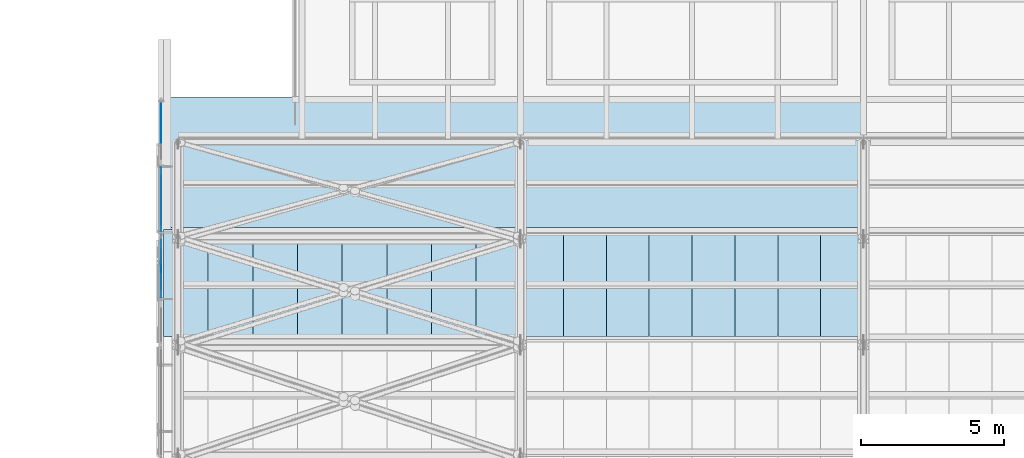
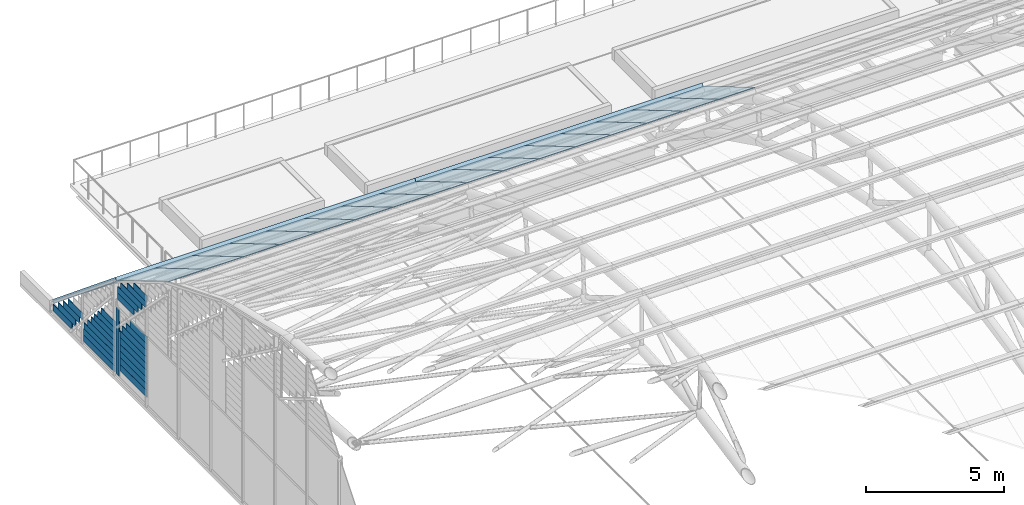
# One storey, part 56 of 110: 43 plates, 2 slabs, 1 element without a shape of its own.
"""IFC4 building model written with IfcOpenShell, lengths in metres."""

from ifc_helpers import new_model, si_unit, direction, frame, origin, place, context, subcontext, project, spatial, polyline, outline, extrude, material, layer, layer_set, type_object, element, aggregate, save


model = new_model("IFC4")

# Units and contexts
model_context = context("Model", 3, precision=1e-05, world=origin(), true_north=direction((0.0, 1.0)))
body_context = subcontext(model_context, "Body", "Model", "MODEL_VIEW")
ifc_project = project(units=[si_unit("LENGTHUNIT", "METRE"), si_unit("AREAUNIT", "SQUARE_METRE"), si_unit("VOLUMEUNIT", "CUBIC_METRE"), si_unit("PLANEANGLEUNIT", "RADIAN"), si_unit("MASSUNIT", "GRAM", prefix="KILO")], contexts=[model_context])

# Site, building, storey
site_placement = place(None, origin())
site = spatial("IfcSite", under=ifc_project, at=site_placement, CompositionType="ELEMENT")
building_placement = place(site_placement, origin())
building = spatial("IfcBuilding", under=site, at=building_placement, Name="Windward Yard Aquatics Centre", CompositionType="ELEMENT")
storey_placement = place(building_placement, frame((0.0, 0.0, 22.60009765625)))
storey = spatial("IfcBuildingStorey", under=building, at=storey_placement, Name="L05", CompositionType="ELEMENT", Elevation=22.60009765625)

# Curtain wall, plates
ifc_material_1 = material(Name="Glass and aluminium curtain wall", Category="aluminium")
ifc_layer_1 = layer(ifc_material_1, 0.179931640625)
ifc_layer_set_1 = layer_set([ifc_layer_1], Name="H gable glazing system double glazed 8+16+8")
curtain_wall_type = type_object("IfcCurtainWallType", Name="H gable glazing system double glazed 8+16+8", PredefinedType="NOTDEFINED", material=ifc_layer_set_1)
curtain_wall_placement = place(storey_placement, origin())
curtain_wall = element("IfcCurtainWall", 1, at=curtain_wall_placement, inside=storey, type_object=curtain_wall_type, Name="Gable glazing W", PredefinedType="NOTDEFINED")
ifc_material_2 = material(Name="Low-iron glass", Category="glass")
ifc_layer_2 = layer(ifc_material_2, 0.008, Name="Outer pane")
ifc_material_3 = material(Name="Argon-filled cavity")
ifc_layer_3 = layer(ifc_material_3, 0.016, Name="Cavity")
ifc_layer_4 = layer(ifc_material_2, 0.008, Name="Inner pane")
ifc_layer_set_2 = layer_set([ifc_layer_2, ifc_layer_3, ifc_layer_4], Name="H gable glass low-e double glazed unit 32")
plate_type_1 = type_object("IfcPlateType", Name="H gable glass low-e double glazed unit 32", PredefinedType="CURTAIN_PANEL", material=ifc_layer_set_2)
plate_1_placement = place(storey_placement, frame((59.39404296875, 76.9638671875, 0.099853515625), z_axis=(-1.0, 0.0, 0.0), x_axis=(0.0, 0.0, 1.0)))
plate_1 = element("IfcPlate", 2, at=plate_1_placement, type_object=plate_type_1, Name="Gable panel 16.1a", PredefinedType="CURTAIN_PANEL", context=body_context, shape_type="SweptSolid", body=[
    extrude(outline(polyline([(0.0, 0.0), (2.949951, 0.0), (2.949951, 0.238281), (0.0, 0.238281), (0.0, 0.0)])), origin(), (0.0, 0.0, -1.0), 0.031982421875),
])
plate_2_placement = place(storey_placement, frame((59.426025390625, 74.947998046875, 0.39501953125), z_axis=(1.0, 0.0, 0.0), x_axis=(0.0, 1.0, 0.0)))
plate_2 = element("IfcPlate", 3, at=plate_2_placement, type_object=plate_type_1, Name="Gable panel 16.1l", PredefinedType="CURTAIN_PANEL", context=body_context, shape_type="SweptSolid", body=[
    extrude(outline(polyline([(0.0, 0.0), (1.958984, 0.0), (1.958984, 0.294678), (0.0, 0.294678), (0.0, 0.0)])), origin(), (0.0, 0.0, -1.0), 0.031982421875),
])
plate_3_placement = place(storey_placement, frame((59.426025390625, 74.947998046875, 0.690185546875), z_axis=(1.0, 0.0, 0.0), x_axis=(0.0, 1.0, 0.0)))
plate_3 = element("IfcPlate", 4, at=plate_3_placement, type_object=plate_type_1, Name="Gable panel 16.1m", PredefinedType="CURTAIN_PANEL", context=body_context, shape_type="SweptSolid", body=[
    extrude(outline(polyline([(0.0, 0.0), (1.958984, 0.0), (1.958984, 0.294434), (0.0, 0.294434), (0.0, 0.0)])), origin(), (0.0, 0.0, -1.0), 0.031982421875),
])
plate_4_placement = place(storey_placement, frame((59.426025390625, 74.947998046875, 0.985107421875), z_axis=(1.0, 0.0, 0.0), x_axis=(0.0, 1.0, 0.0)))
plate_4 = element("IfcPlate", 5, at=plate_4_placement, type_object=plate_type_1, Name="Gable panel 16.1n", PredefinedType="CURTAIN_PANEL", context=body_context, shape_type="SweptSolid", body=[
    extrude(outline(polyline([(0.0, 0.0), (1.958984, 0.0), (1.958984, 0.294678), (0.0, 0.294678), (0.0, 0.0)])), origin(), (0.0, 0.0, -1.0), 0.031982421875),
])
plate_5_placement = place(storey_placement, frame((59.426025390625, 74.947998046875, 1.280029296875), z_axis=(1.0, 0.0, 0.0), x_axis=(0.0, 1.0, 0.0)))
plate_5 = element("IfcPlate", 6, at=plate_5_placement, type_object=plate_type_1, Name="Gable panel 16.1o", PredefinedType="CURTAIN_PANEL", context=body_context, shape_type="SweptSolid", body=[
    extrude(outline(polyline([(0.0, 0.0), (1.958984, 0.0), (1.958984, 0.294678), (0.0, 0.294678), (0.0, 0.0)])), origin(), (0.0, 0.0, -1.0), 0.031982421875),
])
plate_6_placement = place(storey_placement, frame((59.426025390625, 74.947998046875, 1.5751953125), z_axis=(1.0, 0.0, 0.0), x_axis=(0.0, 1.0, 0.0)))
plate_6 = element("IfcPlate", 7, at=plate_6_placement, type_object=plate_type_1, Name="Gable panel 16.1p", PredefinedType="CURTAIN_PANEL", context=body_context, shape_type="SweptSolid", body=[
    extrude(outline(polyline([(0.0, 0.0), (1.958984, 0.0), (1.958984, 0.294434), (0.0, 0.294434), (0.0, 0.0)])), origin(), (0.0, 0.0, -1.0), 0.031982421875),
])
plate_7_placement = place(storey_placement, frame((59.426025390625, 74.947998046875, 1.8701171875), z_axis=(1.0, 0.0, 0.0), x_axis=(0.0, 1.0, 0.0)))
plate_7 = element("IfcPlate", 8, at=plate_7_placement, type_object=plate_type_1, Name="Gable panel 16.1q", PredefinedType="CURTAIN_PANEL", context=body_context, shape_type="SweptSolid", body=[
    extrude(outline(polyline([(0.0, 0.0), (1.958984, 0.0), (1.958984, 0.294678), (0.0, 0.294678), (0.0, 0.0)])), origin(), (0.0, 0.0, -1.0), 0.031982421875),
])
plate_8_placement = place(storey_placement, frame((59.426025390625, 74.947998046875, 2.1650390625), z_axis=(1.0, 0.0, 0.0), x_axis=(0.0, 1.0, 0.0)))
plate_8 = element("IfcPlate", 9, at=plate_8_placement, type_object=plate_type_1, Name="Gable panel 16.1r", PredefinedType="CURTAIN_PANEL", context=body_context, shape_type="SweptSolid", body=[
    extrude(outline(polyline([(0.0, 0.0), (1.793213, 0.0), (1.793213, 0.294678), (0.0, 0.294678), (0.0, 0.0)])), origin(), (0.0, 0.0, -1.0), 0.031982421875),
])
plate_9_placement = place(storey_placement, frame((59.426025390625, 74.947998046875, 2.460205078125), z_axis=(1.0, 0.0, 0.0), x_axis=(0.0, 1.0, 0.0)))
plate_9 = element("IfcPlate", 10, at=plate_9_placement, type_object=plate_type_1, Name="Gable panel 16.1s", PredefinedType="CURTAIN_PANEL", context=body_context, shape_type="SweptSolid", body=[
    extrude(outline(polyline([(0.0, 0.0), (1.50293, 0.0), (1.50293, 0.294434), (0.0, 0.294434), (0.0, 0.0)])), origin(), (0.0, 0.0, -1.0), 0.031982421875),
])
plate_10_placement = place(storey_placement, frame((59.426025390625, 74.947998046875, 2.755126953125), z_axis=(1.0, 0.0, 0.0), x_axis=(0.0, 1.0, 0.0)))
plate_10 = element("IfcPlate", 11, at=plate_10_placement, type_object=plate_type_1, Name="Gable panel 16.1t", PredefinedType="CURTAIN_PANEL", context=body_context, shape_type="SweptSolid", body=[
    extrude(outline(polyline([(0.0, 0.0), (1.212158, 0.0), (1.212158, 0.294678), (0.0, 0.294678), (0.0, 0.0)])), origin(), (0.0, 0.0, -1.0), 0.031982421875),
])
plate_11_placement = place(storey_placement, frame((59.426025390625, 75.892333984375, 3.435791015625), z_axis=(1.0, 0.0, 0.0), x_axis=(0.0, 1.0, 0.0)))
plate_11 = element("IfcPlate", 12, at=plate_11_placement, type_object=plate_type_1, Name="Gable panel 16.2g", PredefinedType="CURTAIN_PANEL", context=body_context, shape_type="SweptSolid", body=[
    extrude(outline(polyline([(0.0, 0.0), (1.170166, 0.0), (1.170166, 0.2854), (0.0, 0.2854), (0.0, 0.0)])), origin(), (0.0, 0.0, -1.0), 0.031982421875),
])
plate_12_placement = place(storey_placement, frame((59.426025390625, 75.611083984375, 3.7216796875), z_axis=(1.0, 0.0, 0.0), x_axis=(0.0, 1.0, 0.0)))
plate_12 = element("IfcPlate", 13, at=plate_12_placement, type_object=plate_type_1, Name="Gable panel 16.2h", PredefinedType="CURTAIN_PANEL", context=body_context, shape_type="SweptSolid", body=[
    extrude(outline(polyline([(0.0, 0.0), (1.451416, 0.0), (1.451416, 0.2854), (0.0, 0.2854), (0.0, 0.0)])), origin(), (0.0, 0.0, -1.0), 0.031982421875),
])
plate_13_placement = place(storey_placement, frame((59.426025390625, 75.32958984375, 4.007568359375), z_axis=(1.0, 0.0, 0.0), x_axis=(0.0, 1.0, 0.0)))
plate_13 = element("IfcPlate", 14, at=plate_13_placement, type_object=plate_type_1, Name="Gable panel 16.2i", PredefinedType="CURTAIN_PANEL", context=body_context, shape_type="SweptSolid", body=[
    extrude(outline(polyline([(0.0, 0.0), (1.547607, 0.0), (1.547607, 0.2854), (0.0, 0.2854), (0.0, 0.0)])), origin(), (0.0, 0.0, -1.0), 0.031982421875),
])
plate_14_placement = place(storey_placement, frame((59.426025390625, 75.048095703125, 4.293212890625), z_axis=(1.0, 0.0, 0.0), x_axis=(0.0, 1.0, 0.0)))
plate_14 = element("IfcPlate", 15, at=plate_14_placement, type_object=plate_type_1, Name="Gable panel 16.2j", PredefinedType="CURTAIN_PANEL", context=body_context, shape_type="SweptSolid", body=[
    extrude(outline(polyline([(0.0, 0.0), (1.346924, 0.0), (1.346924, 0.2854), (0.0, 0.2854), (0.0, 0.0)])), origin(), (0.0, 0.0, -1.0), 0.031982421875),
])
plate_15_placement = place(storey_placement, frame((59.426025390625, 74.947998046875, 4.5791015625), z_axis=(1.0, 0.0, 0.0), x_axis=(0.0, 1.0, 0.0)))
plate_15 = element("IfcPlate", 16, at=plate_15_placement, type_object=plate_type_1, Name="Gable panel 16.2k", PredefinedType="CURTAIN_PANEL", context=body_context, shape_type="SweptSolid", body=[
    extrude(outline(polyline([(0.0, 0.0), (0.964844, 0.0), (0.964844, 0.2854), (0.0, 0.2854), (0.0, 0.0)])), origin(), (0.0, 0.0, -1.0), 0.031982421875),
])
plate_16_placement = place(storey_placement, frame((59.426025390625, 77.26708984375, 0.099853515625), z_axis=(1.0, 0.0, 0.0), x_axis=(0.0, 1.0, 0.0)))
plate_16 = element("IfcPlate", 17, at=plate_16_placement, type_object=plate_type_1, Name="Gable panel 17.1a", PredefinedType="CURTAIN_PANEL", context=body_context, shape_type="SweptSolid", body=[
    extrude(outline(polyline([(0.0, 0.0), (2.254395, 0.0), (2.254395, 0.280029), (0.0, 0.280029), (0.0, 0.0)])), origin(), (0.0, 0.0, -1.0), 0.031982421875),
])
plate_17_placement = place(storey_placement, frame((59.426025390625, 77.26708984375, 0.380126953125), z_axis=(1.0, 0.0, 0.0), x_axis=(0.0, 1.0, 0.0)))
plate_17 = element("IfcPlate", 18, at=plate_17_placement, type_object=plate_type_1, Name="Gable panel 17.1b", PredefinedType="CURTAIN_PANEL", context=body_context, shape_type="SweptSolid", body=[
    extrude(outline(polyline([(0.0, 0.0), (2.254395, 0.0), (2.254395, 0.279785), (0.0, 0.279785), (0.0, 0.0)])), origin(), (0.0, 0.0, -1.0), 0.031982421875),
])
plate_18_placement = place(storey_placement, frame((59.426025390625, 77.26708984375, 0.660400390625), z_axis=(1.0, 0.0, 0.0), x_axis=(0.0, 1.0, 0.0)))
plate_18 = element("IfcPlate", 19, at=plate_18_placement, type_object=plate_type_1, Name="Gable panel 17.1c", PredefinedType="CURTAIN_PANEL", context=body_context, shape_type="SweptSolid", body=[
    extrude(outline(polyline([(0.0, 0.0), (2.24292, 0.0), (2.24292, 0.279541), (0.0, 0.279541), (0.0, 0.0)])), origin(), (0.0, 0.0, -1.0), 0.031982421875),
])
plate_19_placement = place(storey_placement, frame((59.426025390625, 77.26708984375, 0.9404296875), z_axis=(1.0, 0.0, 0.0), x_axis=(0.0, 1.0, 0.0)))
plate_19 = element("IfcPlate", 20, at=plate_19_placement, type_object=plate_type_1, Name="Gable panel 17.1d", PredefinedType="CURTAIN_PANEL", context=body_context, shape_type="SweptSolid", body=[
    extrude(outline(polyline([(0.0, 0.0), (1.993896, 0.0), (1.993896, 0.279785), (0.0, 0.279785), (0.0, 0.0)])), origin(), (0.0, 0.0, -1.0), 0.031982421875),
])
plate_20_placement = place(storey_placement, frame((59.426025390625, 77.26708984375, 1.220458984375), z_axis=(1.0, 0.0, 0.0), x_axis=(0.0, 1.0, 0.0)))
plate_20 = element("IfcPlate", 21, at=plate_20_placement, type_object=plate_type_1, Name="Gable panel 17.1e", PredefinedType="CURTAIN_PANEL", context=body_context, shape_type="SweptSolid", body=[
    extrude(outline(polyline([(0.0, 0.0), (1.744629, 0.0), (1.744629, 0.279785), (0.0, 0.279785), (0.0, 0.0)])), origin(), (0.0, 0.0, -1.0), 0.031982421875),
])
plate_21_placement = place(storey_placement, frame((59.426025390625, 77.26708984375, 1.500732421875), z_axis=(1.0, 0.0, 0.0), x_axis=(0.0, 1.0, 0.0)))
plate_21 = element("IfcPlate", 22, at=plate_21_placement, type_object=plate_type_1, Name="Gable panel 17.1f", PredefinedType="CURTAIN_PANEL", context=body_context, shape_type="SweptSolid", body=[
    extrude(outline(polyline([(0.0, 0.0), (1.495361, 0.0), (1.495361, 0.279541), (0.0, 0.279541), (0.0, 0.0)])), origin(), (0.0, 0.0, -1.0), 0.031982421875),
])
plate_22_placement = place(storey_placement, frame((59.426025390625, 77.26708984375, 1.78076171875), z_axis=(1.0, 0.0, 0.0), x_axis=(0.0, 1.0, 0.0)))
plate_22 = element("IfcPlate", 23, at=plate_22_placement, type_object=plate_type_1, Name="Gable panel 17.1g", PredefinedType="CURTAIN_PANEL", context=body_context, shape_type="SweptSolid", body=[
    extrude(outline(polyline([(0.0, 0.0), (1.246338, 0.0), (1.246338, 0.279785), (0.0, 0.279785), (0.0, 0.0)])), origin(), (0.0, 0.0, -1.0), 0.031982421875),
])
plate_23_placement = place(storey_placement, frame((59.426025390625, 77.26708984375, 2.060791015625), z_axis=(1.0, 0.0, 0.0), x_axis=(0.0, 1.0, 0.0)))
plate_23 = element("IfcPlate", 24, at=plate_23_placement, type_object=plate_type_1, Name="Gable panel 17.1h", PredefinedType="CURTAIN_PANEL", context=body_context, shape_type="SweptSolid", body=[
    extrude(outline(polyline([(0.0, 0.0), (0.99707, 0.0), (0.99707, 0.279785), (0.0, 0.279785), (0.0, 0.0)])), origin(), (0.0, 0.0, -1.0), 0.031982421875),
])
plate_24_placement = place(storey_placement, frame((59.426025390625, 80.364501953125, 0.099853515625), z_axis=(1.0, 0.0, 0.0), x_axis=(0.0, 1.0, 0.0)))
plate_24 = element("IfcPlate", 25, at=plate_24_placement, type_object=plate_type_1, Name="Gable panel 18.1c", PredefinedType="CURTAIN_PANEL", context=body_context, shape_type="SweptSolid", body=[
    extrude(outline(polyline([(0.0, 0.0), (1.380371, 0.0), (1.380371, 0.295166), (0.0, 0.295166), (0.0, 0.0)])), origin(), (0.0, 0.0, -1.0), 0.031982421875),
])
plate_25_placement = place(storey_placement, frame((59.426025390625, 80.1015625, 0.3955078125), z_axis=(1.0, 0.0, 0.0), x_axis=(0.0, 1.0, 0.0)))
plate_25 = element("IfcPlate", 26, at=plate_25_placement, type_object=plate_type_1, Name="Gable panel 18.1d", PredefinedType="CURTAIN_PANEL", context=body_context, shape_type="SweptSolid", body=[
    extrude(outline(polyline([(0.0, 0.0), (1.283691, 0.0), (1.283691, 0.294922), (0.0, 0.294922), (0.0, 0.0)])), origin(), (0.0, 0.0, -1.0), 0.031982421875),
])
plate_26_placement = place(storey_placement, frame((59.426025390625, 79.8388671875, 0.69091796875), z_axis=(1.0, 0.0, 0.0), x_axis=(0.0, 1.0, 0.0)))
plate_26 = element("IfcPlate", 27, at=plate_26_placement, type_object=plate_type_1, Name="Gable panel 18.1e", PredefinedType="CURTAIN_PANEL", context=body_context, shape_type="SweptSolid", body=[
    extrude(outline(polyline([(0.0, 0.0), (1.186523, 0.0), (1.186523, 0.295166), (0.0, 0.295166), (0.0, 0.0)])), origin(), (0.0, 0.0, -1.0), 0.031982421875),
])
plate_27_placement = place(storey_placement, frame((59.426025390625, 79.58642578125, 0.986328125), z_axis=(1.0, 0.0, 0.0), x_axis=(0.0, 1.0, 0.0)))
plate_27 = element("IfcPlate", 28, at=plate_27_placement, type_object=plate_type_1, Name="Gable panel 18.1f", PredefinedType="CURTAIN_PANEL", context=body_context, shape_type="SweptSolid", body=[
    extrude(outline(polyline([(0.0, 0.0), (1.079346, 0.0), (1.079346, 0.295166), (0.0, 0.295166), (0.0, 0.0)])), origin(), (0.0, 0.0, -1.0), 0.031982421875),
])
aggregate(curtain_wall, [plate_1, plate_2, plate_3, plate_4, plate_5, plate_6, plate_7, plate_8, plate_9, plate_10, plate_11, plate_12, plate_13, plate_14, plate_15, plate_16, plate_17, plate_18, plate_19, plate_20, plate_21, plate_22, plate_23, plate_24, plate_25, plate_26, plate_27])

# Slabs
ifc_material_4 = material(Name="Aluminium standing seam sheet", Category="aluminium")
ifc_layer_5 = layer(ifc_material_4, 0.001, Name="Roof covering")
ifc_material_5 = material(Name="Breather membrane")
ifc_layer_6 = layer(ifc_material_5, 0.002, Name="Underlay")
ifc_material_6 = material(Name="Mineral wool insulation")
ifc_layer_7 = layer(ifc_material_6, 0.1, Name="Insulation")
ifc_material_7 = material(Name="Vapour control layer")
ifc_layer_8 = layer(ifc_material_7, 0.001, Name="Vapour control")
ifc_material_8 = material(Name="Profiled galvanised steel deck", Category="steel")
ifc_layer_9 = layer(ifc_material_8, 0.046, Name="Deck")
ifc_layer_set_3 = layer_set([ifc_layer_5, ifc_layer_6, ifc_layer_7, ifc_layer_8, ifc_layer_9], Name="H standing seam roofing 150")
slab_type = type_object("IfcSlabType", Name="H standing seam roofing 150", PredefinedType="ROOF", material=ifc_layer_set_3)
slab_1_placement = place(storey_placement, frame((59.5, 26.0, 0.0), z_axis=(1.0, 0.0, 0.0), x_axis=(0.0, 1.0, 0.0)))
element("IfcSlab", 29, at=slab_1_placement, inside=storey, type_object=slab_type, Name="Roof covering bay 1", PredefinedType="ROOF", context=body_context, shape_type="SweptSolid", body=[
    extrude(outline(polyline([(51.32568359375, 4.050537109375), (55.892333984375, 0.300048828125), (55.987548828125, 0.416015625), (51.411865234375, 4.173828125), (51.32568359375, 4.050537109375)])), origin(), (0.0, 0.0, 1.0), 12.5),
])
slab_2_placement = place(storey_placement, frame((72.0, 26.0, 0.0), z_axis=(1.0, 0.0, 0.0), x_axis=(0.0, 1.0, 0.0)))
element("IfcSlab", 30, at=slab_2_placement, inside=storey, type_object=slab_type, Name="Roof covering bay 2", PredefinedType="ROOF", context=body_context, shape_type="SweptSolid", body=[
    extrude(outline(polyline([(51.32568359375, 4.050537109375), (55.892333984375, 0.300048828125), (55.987548828125, 0.416015625), (51.411865234375, 4.173828125), (51.32568359375, 4.050537109375)])), origin(), (0.0, 0.0, 1.0), 12.0),
])

# Plates
ifc_material_9 = material(Name="Translucent multiwall polycarbonate sheet")
ifc_layer_10 = layer(ifc_material_9, 0.031982421875)
ifc_layer_set_4 = layer_set([ifc_layer_10], Name="H translucent roof sheet multiwall polycarbonate 32")
plate_type_2 = type_object("IfcPlateType", Name="H translucent roof sheet multiwall polycarbonate 32", PredefinedType="SHEET", material=ifc_layer_set_4)
for number, where, z_axis, x_axis, name in (
    (31, (59.501953125, 26.0, 0.0), (1.0, 0.0, 0.0), (0.0, 1.0, 0.0), "Daylight roof sheet bay 1 facet 9 sheet 1"),
    (32, (61.064453125, 26.0, 0.0), (1.0, 0.0, 0.0), (0.0, 1.0, 0.0), "Daylight roof sheet bay 1 facet 9 sheet 2"),
    (33, (62.626953125, 26.0, 0.0), (1.0, 0.0, 0.0), (0.0, 1.0, 0.0), "Daylight roof sheet bay 1 facet 9 sheet 3"),
    (34, (64.189453125, 26.0, 0.0), (1.0, 0.0, 0.0), (0.0, 1.0, 0.0), "Daylight roof sheet bay 1 facet 9 sheet 4"),
    (35, (65.751953125, 26.0, 0.0), (1.0, 0.0, 0.0), (0.0, 1.0, 0.0), "Daylight roof sheet bay 1 facet 9 sheet 5"),
    (36, (67.314453125, 26.0, 0.0), (1.0, 0.0, 0.0), (0.0, 1.0, 0.0), "Daylight roof sheet bay 1 facet 9 sheet 6"),
    (37, (68.876953125, 26.0, 0.0), (1.0, 0.0, 0.0), (0.0, 1.0, 0.0), "Daylight roof sheet bay 1 facet 9 sheet 7"),
    (38, (70.439453125, 26.0, 0.0), (1.0, 0.0, 0.0), (0.0, 1.0, 0.0), "Daylight roof sheet bay 1 facet 9 sheet 8"),
):
    element("IfcPlate", number, at=place(storey_placement, frame(where, z_axis=z_axis, x_axis=x_axis)), inside=storey, type_object=plate_type_2, Name=name, PredefinedType="SHEET", context=body_context, shape_type="SweptSolid", body=[
        extrude(outline(polyline([(47.58935546875, 6.2646484375), (51.32568359375, 4.050537109375), (51.343994140625, 4.076904296875), (47.603759765625, 6.29345703125), (47.58935546875, 6.2646484375)])), origin(), (0.0, 0.0, 1.0), 1.55859375),
    ])
for number, where, z_axis, x_axis, name in (
    (39, (72.001953125, 26.0, 0.0), (1.0, 0.0, 0.0), (0.0, 1.0, 0.0), "Daylight roof sheet bay 2 facet 9 sheet 1"),
    (40, (73.501953125, 26.0, 0.0), (1.0, 0.0, 0.0), (0.0, 1.0, 0.0), "Daylight roof sheet bay 2 facet 9 sheet 2"),
    (41, (75.001953125, 26.0, 0.0), (1.0, 0.0, 0.0), (0.0, 1.0, 0.0), "Daylight roof sheet bay 2 facet 9 sheet 3"),
    (42, (76.501953125, 26.0, 0.0), (1.0, 0.0, 0.0), (0.0, 1.0, 0.0), "Daylight roof sheet bay 2 facet 9 sheet 4"),
    (43, (78.001953125, 26.0, 0.0), (1.0, 0.0, 0.0), (0.0, 1.0, 0.0), "Daylight roof sheet bay 2 facet 9 sheet 5"),
    (44, (79.501953125, 26.0, 0.0), (1.0, 0.0, 0.0), (0.0, 1.0, 0.0), "Daylight roof sheet bay 2 facet 9 sheet 6"),
    (45, (81.001953125, 26.0, 0.0), (1.0, 0.0, 0.0), (0.0, 1.0, 0.0), "Daylight roof sheet bay 2 facet 9 sheet 7"),
    (46, (82.501953125, 26.0, 0.0), (1.0, 0.0, 0.0), (0.0, 1.0, 0.0), "Daylight roof sheet bay 2 facet 9 sheet 8"),
):
    element("IfcPlate", number, at=place(storey_placement, frame(where, z_axis=z_axis, x_axis=x_axis)), inside=storey, type_object=plate_type_2, Name=name, PredefinedType="SHEET", context=body_context, shape_type="SweptSolid", body=[
        extrude(outline(polyline([(47.58935546875, 6.2646484375), (51.32568359375, 4.050537109375), (51.343994140625, 4.076904296875), (47.603759765625, 6.29345703125), (47.58935546875, 6.2646484375)])), origin(), (0.0, 0.0, 1.0), 1.49609375),
    ])

save(model, "model.ifc")
